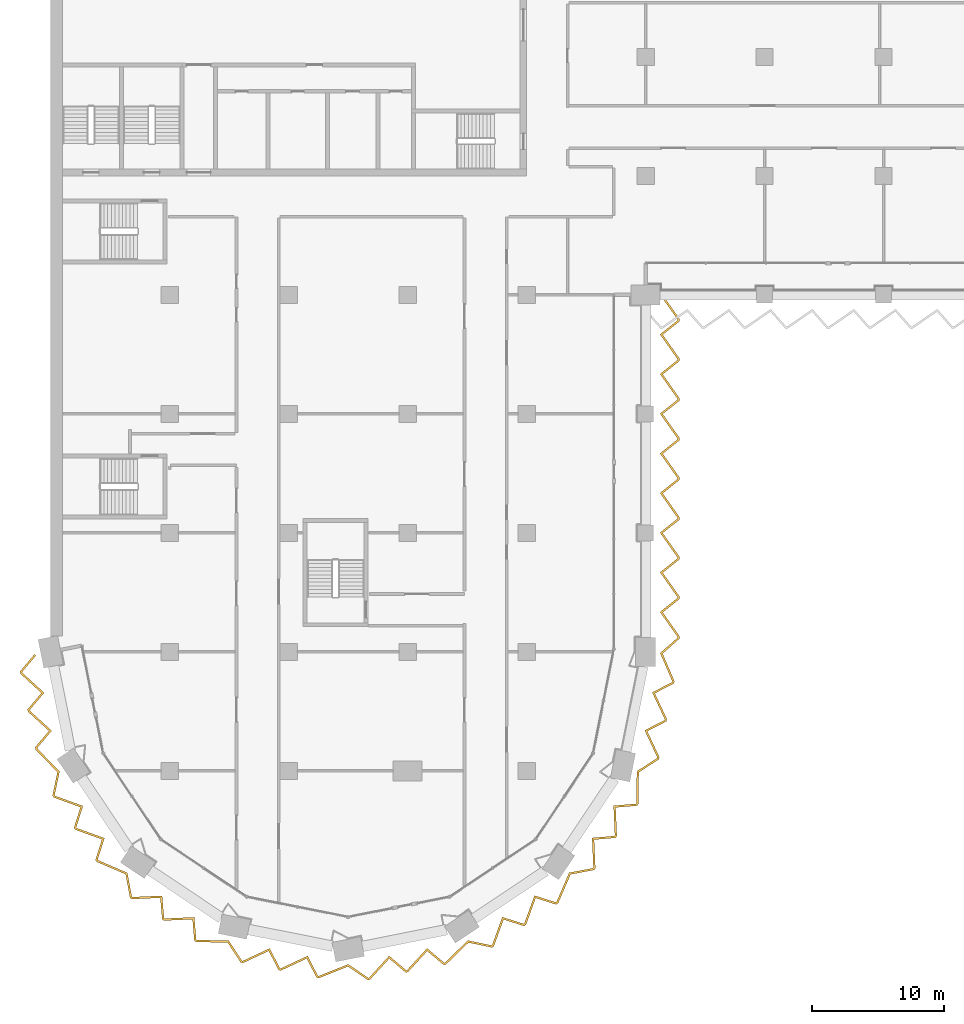
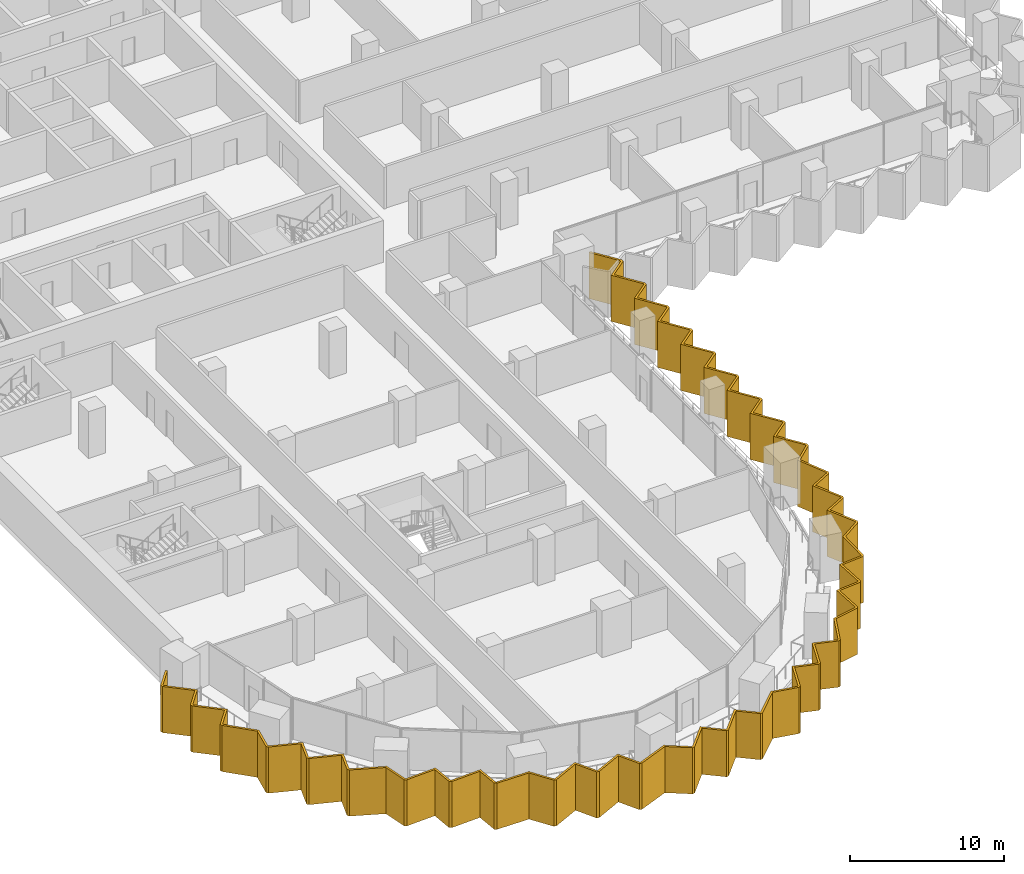
# One storey, part 19 of 23: 1 shading device.
"""IFC4 building model written with IfcOpenShell, lengths in metres."""

from ifc_helpers import new_model, si_unit, direction, frame, origin, place, context, subcontext, project, spatial, polyline, outline, extrude, material, layer, layer_set, type_object, element, save


model = new_model("IFC4")

# Units and contexts
model_context = context("Model", 3, precision=1e-05, world=origin(), true_north=direction((0.0, 1.0)))
body_context = subcontext(model_context, "Body", "Model", "MODEL_VIEW")
ifc_project = project(units=[si_unit("LENGTHUNIT", "METRE"), si_unit("AREAUNIT", "SQUARE_METRE"), si_unit("VOLUMEUNIT", "CUBIC_METRE"), si_unit("PLANEANGLEUNIT", "RADIAN"), si_unit("MASSUNIT", "GRAM", prefix="KILO")], contexts=[model_context])

# Site, building, storey
site_placement = place(None, origin())
site = spatial("IfcSite", under=ifc_project, at=site_placement, CompositionType="ELEMENT")
building_placement = place(site_placement, origin())
building = spatial("IfcBuilding", under=site, at=building_placement, Name="Hunhe Ridgeline Campus", CompositionType="ELEMENT")
storey_placement = place(building_placement, frame((0.0, 0.0, 110.699951171875)))
storey = spatial("IfcBuildingStorey", under=building, at=storey_placement, Name="L27", CompositionType="ELEMENT", Elevation=110.699951171875)

# Shading device
ifc_material = material(Name="Concrete C50", Category="concrete")
ifc_layer = layer(ifc_material, 0.14990234375)
ifc_layer_set = layer_set([ifc_layer], Name="Sawtooth concrete fin 150 Concrete C50")
shading_device_type = type_object("IfcShadingDeviceType", Name="Sawtooth concrete fin 150 Concrete C50", PredefinedType="USERDEFINED", material=ifc_layer_set)
shading_device_placement = place(storey_placement, frame((0.0, 0.0, -0.949951171875)))
element("IfcShadingDevice", 1, at=shading_device_placement, inside=storey, type_object=shading_device_type, Name="Concrete fin screen 1", ObjectType="FIN", PredefinedType="USERDEFINED", context=body_context, shape_type="SweptSolid", body=[
    extrude(outline(polyline([(-1.108642578125, 26.7197265625), (-1.223388671875, 26.81640625), (-2.3193359375, 25.518310546875), (-2.2841796875, 25.341064453125), (-0.698974609375, 23.891357421875), (-1.74853515625, 22.648193359375), (-1.713134765625, 22.470947265625), (-0.1279296875, 21.021240234375), (-1.177490234375, 19.778076171875), (-1.142822265625, 19.603271484375), (0.51123046875, 17.902099609375), (0.139404296875, 16.12939453125), (0.2373046875, 15.98291015625), (2.256591796875, 15.25), (1.7626953125, 13.699951171875), (1.863037109375, 13.5498046875), (3.882568359375, 12.81689453125), (3.388427734375, 11.266845703125), (3.487548828125, 11.11865234375), (5.666748046875, 10.179931640625), (6.001708984375, 8.39990234375), (6.14794921875, 8.302001953125), (8.294189453125, 8.397705078125), (8.430908203125, 6.776611328125), (8.581298828125, 6.67626953125), (10.727294921875, 6.77197265625), (10.864013671875, 5.150634765625), (11.012451171875, 5.0517578125), (13.384765625, 5.018310546875), (14.37548828125, 3.501953125), (14.548095703125, 3.467529296875), (16.494384765625, 4.37744140625), (17.240966796875, 2.931884765625), (17.418212890625, 2.896728515625), (19.364501953125, 3.806396484375), (20.111083984375, 2.361083984375), (20.2861328125, 2.326171875), (22.49072265625, 3.203369140625), (23.986083984375, 2.181640625), (24.158935546875, 2.2158203125), (25.608642578125, 3.801025390625), (26.851806640625, 2.75146484375), (27.029052734375, 2.786865234375), (28.478759765625, 4.3720703125), (29.721923828125, 3.322509765625), (29.896728515625, 3.357177734375), (31.597900390625, 5.01123046875), (33.37060546875, 4.639404296875), (33.51708984375, 4.7373046875), (34.25, 6.756591796875), (35.800048828125, 6.2626953125), (35.9501953125, 6.363037109375), (36.68310546875, 8.382568359375), (38.233154296875, 7.888427734375), (38.38134765625, 7.987548828125), (39.320068359375, 10.166748046875), (41.10009765625, 10.501708984375), (41.197998046875, 10.64794921875), (41.102294921875, 12.794189453125), (42.723388671875, 12.930908203125), (42.82373046875, 13.081298828125), (42.72802734375, 15.227294921875), (44.349365234375, 15.364013671875), (44.4482421875, 15.512451171875), (44.481689453125, 17.884765625), (45.998046875, 18.87548828125), (46.032470703125, 19.048095703125), (45.12255859375, 20.994384765625), (46.568115234375, 21.740966796875), (46.603271484375, 21.918212890625), (45.693603515625, 23.864501953125), (47.138916015625, 24.611083984375), (47.173828125, 24.787109375), (46.279296875, 26.86279296875), (47.56396484375, 28.003173828125), (47.56396484375, 28.1806640625), (46.291015625, 29.9853515625), (47.56396484375, 31.000732421875), (47.56396484375, 31.1806640625), (46.291015625, 32.9853515625), (47.56396484375, 34.000732421875), (47.56396484375, 34.1806640625), (46.291015625, 35.9853515625), (47.56396484375, 37.000732421875), (47.56396484375, 37.1806640625), (46.291015625, 38.9853515625), (47.56396484375, 40.000732421875), (47.56396484375, 40.1806640625), (46.291015625, 41.9853515625), (47.56396484375, 43.000732421875), (47.56396484375, 43.1806640625), (46.291015625, 44.9853515625), (47.56396484375, 46.000732421875), (47.56396484375, 46.1806640625), (46.291015625, 47.9853515625), (47.56396484375, 49.000732421875), (47.56396484375, 49.1806640625), (46.291015625, 50.9853515625), (47.56396484375, 52.000732421875), (47.56396484375, 52.1806640625), (46.250244140625, 54.043212890625), (46.127685546875, 53.956787109375), (47.413818359375, 52.133056640625), (47.413818359375, 52.072998046875), (46.0869140625, 51.0146484375), (47.413818359375, 49.133056640625), (47.413818359375, 49.072998046875), (46.0869140625, 48.0146484375), (47.413818359375, 46.133056640625), (47.413818359375, 46.072998046875), (46.0869140625, 45.0146484375), (47.413818359375, 43.133056640625), (47.413818359375, 43.072998046875), (46.0869140625, 42.0146484375), (47.413818359375, 40.133056640625), (47.413818359375, 40.072998046875), (46.0869140625, 39.0146484375), (47.413818359375, 37.133056640625), (47.413818359375, 37.072998046875), (46.0869140625, 36.0146484375), (47.413818359375, 34.133056640625), (47.413818359375, 34.072998046875), (46.0869140625, 33.0146484375), (47.413818359375, 31.133056640625), (47.413818359375, 31.072998046875), (46.0869140625, 30.0146484375), (47.413818359375, 28.133056640625), (47.413818359375, 28.070556640625), (46.0986328125, 26.903076171875), (47.017822265625, 24.770751953125), (47.005859375, 24.711181640625), (45.49658203125, 23.931396484375), (46.446533203125, 21.8994140625), (46.43505859375, 21.841064453125), (44.92578125, 21.061279296875), (45.875732421875, 19.029296875), (45.86328125, 18.966552734375), (44.332763671875, 17.966796875), (44.298828125, 15.558837890625), (44.2646484375, 15.507568359375), (42.57177734375, 15.364501953125), (42.671875, 13.12353515625), (42.638916015625, 13.07421875), (40.946044921875, 12.931396484375), (41.0458984375, 10.6904296875), (41.010498046875, 10.637451171875), (39.2138671875, 10.29931640625), (38.26123046875, 8.087646484375), (38.2099609375, 8.053466796875), (36.59130859375, 8.569091796875), (35.826171875, 6.46044921875), (35.77685546875, 6.427490234375), (34.158203125, 6.943359375), (33.392822265625, 4.834716796875), (33.33984375, 4.79931640625), (31.550537109375, 5.17431640625), (29.823974609375, 3.49560546875), (29.763427734375, 3.483642578125), (28.465576171875, 4.57958984375), (26.95166015625, 2.92431640625), (26.893310546875, 2.912841796875), (25.595458984375, 4.0087890625), (24.08154296875, 2.353515625), (24.018798828125, 2.341064453125), (22.50927734375, 3.372314453125), (20.271728515625, 2.482177734375), (20.211181640625, 2.494140625), (19.431396484375, 4.00341796875), (17.3994140625, 3.053466796875), (17.341064453125, 3.06494140625), (16.561279296875, 4.57421875), (14.529296875, 3.624267578125), (14.466552734375, 3.63671875), (13.466796875, 5.167236328125), (11.058837890625, 5.201171875), (11.007568359375, 5.2353515625), (10.864501953125, 6.92822265625), (8.62353515625, 6.828125), (8.57421875, 6.861083984375), (8.431396484375, 8.553955078125), (6.1904296875, 8.4541015625), (6.137451171875, 8.489501953125), (5.79931640625, 10.2861328125), (3.587646484375, 11.23876953125), (3.553466796875, 11.2900390625), (4.069091796875, 12.90869140625), (1.96044921875, 13.673828125), (1.927490234375, 13.72314453125), (2.443359375, 15.341796875), (0.334716796875, 16.107177734375), (0.29931640625, 16.16015625), (0.67431640625, 17.949462890625), (-1.00439453125, 19.676025390625), (-1.016357421875, 19.736572265625), (0.07958984375, 21.034423828125), (-1.57568359375, 22.54833984375), (-1.587158203125, 22.606689453125), (-0.4912109375, 23.904541015625), (-2.146484375, 25.41845703125), (-2.158203125, 25.476806640625), (-1.108642578125, 26.7197265625)])), origin(), (0.0, 0.0, 1.0), 3.64990234375),
])

save(model, "model.ifc")
